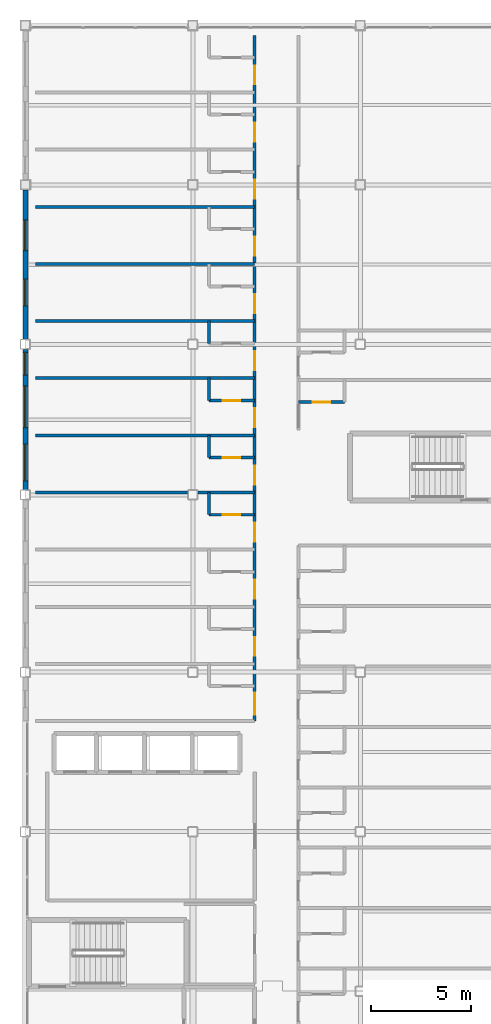
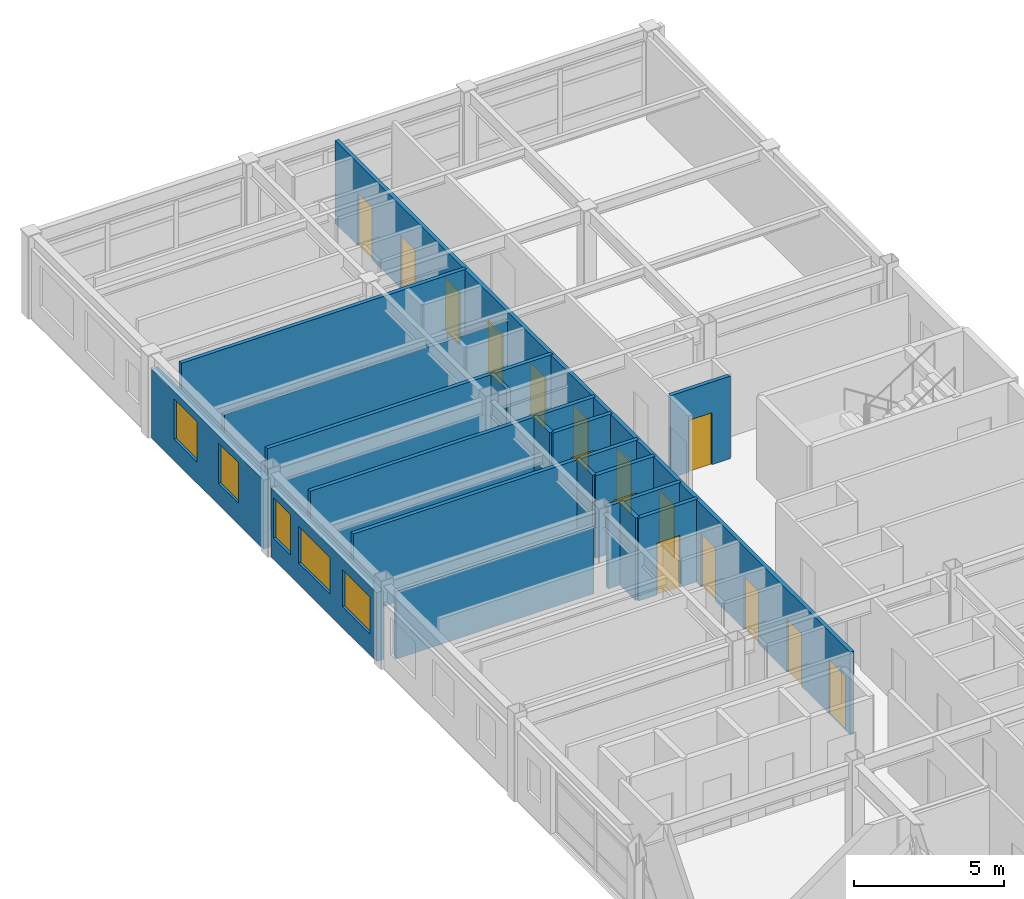
# One storey, part 29 of 33: 18 walls, 16 doors, 5 windows, 21 openings.
"""IFC4 building model written with IfcOpenShell, lengths in metres."""

from ifc_helpers import new_model, si_unit, direction, frame, frame_2d, origin, place, context, subcontext, project, spatial, rectangle, extrude, material, layer, layer_set, type_object, element, fill, save


model = new_model("IFC4")

# Units and contexts
model_context = context("Model", 3, precision=1e-05, world=origin(), true_north=direction((0.0, 1.0)))
body_context = subcontext(model_context, "Body", "Model", "MODEL_VIEW")
ifc_project = project(units=[si_unit("LENGTHUNIT", "METRE"), si_unit("AREAUNIT", "SQUARE_METRE"), si_unit("VOLUMEUNIT", "CUBIC_METRE"), si_unit("PLANEANGLEUNIT", "RADIAN"), si_unit("MASSUNIT", "GRAM", prefix="KILO")], contexts=[model_context])

# Site, building, storey
site_placement = place(None, origin())
site = spatial("IfcSite", under=ifc_project, at=site_placement, CompositionType="ELEMENT")
building_placement = place(site_placement, origin())
building = spatial("IfcBuilding", under=site, at=building_placement, Name="Kazehara Bluff Congress Hotel", CompositionType="ELEMENT")
storey_placement = place(building_placement, frame((0.0, 0.0, 39.0)))
storey = spatial("IfcBuildingStorey", under=building, at=storey_placement, Name="L09", CompositionType="ELEMENT", Elevation=39.0)

# Wall, openings, windows
ifc_material_1 = material(Name="Precast concrete C40/50", Category="concrete")
ifc_layer_1 = layer(ifc_material_1, 0.260009765625)
ifc_layer_set_1 = layer_set([ifc_layer_1], Name="Precast concrete C40/50")
wall_type_1 = type_object("IfcWallType", Name="TP-EW-260", PredefinedType="SOLIDWALL", material=ifc_layer_set_1)
wall_1_placement = place(storey_placement, frame((143.699951171875, 73.60009765625, 0.0), z_axis=(0.0, 0.0, 1.0), x_axis=(0.0, 1.0, 0.0)))
wall_1 = element("IfcWall", 1, at=wall_1_placement, inside=storey, type_object=wall_type_1, Name="L09 hotel facade panel 147", PredefinedType="SOLIDWALL", context=body_context, shape_type="SweptSolid", body=[
    extrude(rectangle(XDim=7.0498046875, YDim=0.260009765625, at=frame_2d((3.52490234375, 0.0))), origin(), (0.0, 0.0, 1.0), 2.804931640625),
])
opening_1_placement = place(wall_1_placement, frame((0.445068359375, 0.0, 0.85009765625)))
opening_1 = element("IfcOpeningElement", 2, at=opening_1_placement, cuts=wall_1, Name="Opening WN-37", PredefinedType="OPENING", context=body_context, shape_type="SweptSolid", body=[
    extrude(rectangle(XDim=1.85009765625, YDim=1.5, at=frame_2d((0.925048828125, 0.75))), frame((0.0, 0.139892578125, 0.0), z_axis=(0.0, -1.0, 0.0), x_axis=(1.0, 0.0, 0.0)), (0.0, 0.0, 1.0), 0.280029296875),
])
opening_2_placement = place(wall_1_placement, frame((3.1201171875, 0.0, 0.85009765625)))
opening_2 = element("IfcOpeningElement", 3, at=opening_2_placement, cuts=wall_1, Name="Opening WN-47", PredefinedType="OPENING", context=body_context, shape_type="SweptSolid", body=[
    extrude(rectangle(XDim=2.10009765625, YDim=1.5, at=frame_2d((1.050048828125, 0.75))), frame((0.0, 0.139892578125, 0.0), z_axis=(0.0, -1.0, 0.0), x_axis=(1.0, 0.0, 0.0)), (0.0, 0.0, 1.0), 0.280029296875),
])
opening_3_placement = place(wall_1_placement, frame((5.75, 0.0, 0.85009765625)))
opening_3 = element("IfcOpeningElement", 4, at=opening_3_placement, cuts=wall_1, Name="Opening WN-03", PredefinedType="OPENING", context=body_context, shape_type="SweptSolid", body=[
    extrude(rectangle(XDim=1.14990234375, YDim=1.64990234375, at=frame_2d((0.574951171875, 0.824951171875))), frame((0.0, 0.139892578125, 0.0), z_axis=(0.0, -1.0, 0.0), x_axis=(1.0, 0.0, 0.0)), (0.0, 0.0, 1.0), 0.280029296875),
])
ifc_material_2 = material(Name="Insulated low-E double glazing", Category="glass")
window_type_1 = type_object("IfcWindowType", Name="TP-WN-03", PartitioningType="SINGLE_PANEL", PredefinedType="WINDOW", material=ifc_material_2)
window_1_placement = place(opening_3_placement, origin())
window_1 = element("IfcWindow", 5, at=window_1_placement, inside=storey, type_object=window_type_1, Name="L09 guestroom window WN-03 289", OverallHeight=1.64990234375, OverallWidth=1.14990234375, PartitioningType="SINGLE_PANEL", PredefinedType="WINDOW", context=body_context, shape_type="SweptSolid", body=[
    extrude(rectangle(XDim=1.14990234375, YDim=1.64990234375, at=frame_2d((0.574951171875, 0.824951171875))), frame((0.0, 0.030029296875, 0.0), z_axis=(0.0, -1.0, 0.0), x_axis=(1.0, 0.0, 0.0)), (0.0, 0.0, 1.0), 0.06005859375),
])
fill(opening_3, window_1)
ifc_material_3 = material(Name="Insulated low-E double glazing", Category="glass")
window_type_2 = type_object("IfcWindowType", Name="TP-WN-37", PartitioningType="DOUBLE_PANEL_VERTICAL", PredefinedType="WINDOW", material=ifc_material_3)
window_2_placement = place(opening_1_placement, origin())
window_2 = element("IfcWindow", 6, at=window_2_placement, inside=storey, type_object=window_type_2, Name="L09 guestroom window WN-37 287", OverallHeight=1.5, OverallWidth=1.85009765625, PartitioningType="SINGLE_PANEL", PredefinedType="WINDOW", context=body_context, shape_type="SweptSolid", body=[
    extrude(rectangle(XDim=1.85009765625, YDim=1.5, at=frame_2d((0.925048828125, 0.75))), frame((0.0, 0.030029296875, 0.0), z_axis=(0.0, -1.0, 0.0), x_axis=(1.0, 0.0, 0.0)), (0.0, 0.0, 1.0), 0.06005859375),
])
fill(opening_1, window_2)
ifc_material_4 = material(Name="Insulated low-E double glazing", Category="glass")
window_type_3 = type_object("IfcWindowType", Name="TP-WN-47", PartitioningType="DOUBLE_PANEL_VERTICAL", PredefinedType="WINDOW", material=ifc_material_4)
window_3_placement = place(opening_2_placement, origin())
window_3 = element("IfcWindow", 7, at=window_3_placement, inside=storey, type_object=window_type_3, Name="L09 guestroom window WN-47 288", OverallHeight=1.5, OverallWidth=2.10009765625, PartitioningType="SINGLE_PANEL", PredefinedType="WINDOW", context=body_context, shape_type="SweptSolid", body=[
    extrude(rectangle(XDim=2.10009765625, YDim=1.5, at=frame_2d((1.050048828125, 0.75))), frame((0.0, 0.030029296875, 0.0), z_axis=(0.0, -1.0, 0.0), x_axis=(1.0, 0.0, 0.0)), (0.0, 0.0, 1.0), 0.06005859375),
])
fill(opening_2, window_3)

wall_2_placement = place(storey_placement, frame((143.699951171875, 81.14990234375, 0.0), z_axis=(0.0, 0.0, 1.0), x_axis=(0.0, 1.0, 0.0)))
wall_2 = element("IfcWall", 8, at=wall_2_placement, inside=storey, type_object=wall_type_1, Name="L09 hotel facade panel 148", PredefinedType="SOLIDWALL", context=body_context, shape_type="SweptSolid", body=[
    extrude(rectangle(XDim=7.5, YDim=0.260009765625, at=frame_2d((3.75, 0.0))), origin(), (0.0, 0.0, 1.0), 2.804931640625),
])
opening_4_placement = place(wall_2_placement, frame((1.675048828125, 0.0, 0.85009765625)))
opening_4 = element("IfcOpeningElement", 9, at=opening_4_placement, cuts=wall_2, Name="Opening WN-13", PredefinedType="OPENING", context=body_context, shape_type="SweptSolid", body=[
    extrude(rectangle(XDim=1.35009765625, YDim=1.64990234375, at=frame_2d((0.675048828125, 0.824951171875))), frame((0.0, 0.139892578125, 0.0), z_axis=(0.0, -1.0, 0.0), x_axis=(1.0, 0.0, 0.0)), (0.0, 0.0, 1.0), 0.280029296875),
])
opening_5_placement = place(wall_2_placement, frame((4.445068359375, 0.0, 0.85009765625)))
opening_5 = element("IfcOpeningElement", 10, at=opening_5_placement, cuts=wall_2, Name="Opening WN-23", PredefinedType="OPENING", context=body_context, shape_type="SweptSolid", body=[
    extrude(rectangle(XDim=1.550048828125, YDim=1.64990234375, at=frame_2d((0.77490234375, 0.824951171875))), frame((0.0, 0.139892578125, 0.0), z_axis=(0.0, -1.0, 0.0), x_axis=(1.0, 0.0, 0.0)), (0.0, 0.0, 1.0), 0.280029296875),
])
ifc_material_5 = material(Name="Insulated low-E double glazing", Category="glass")
window_type_4 = type_object("IfcWindowType", Name="TP-WN-13", PartitioningType="SINGLE_PANEL", PredefinedType="WINDOW", material=ifc_material_5)
window_4_placement = place(opening_4_placement, origin())
window_4 = element("IfcWindow", 11, at=window_4_placement, inside=storey, type_object=window_type_4, Name="L09 guestroom window WN-13 290", OverallHeight=1.64990234375, OverallWidth=1.35009765625, PartitioningType="SINGLE_PANEL", PredefinedType="WINDOW", context=body_context, shape_type="SweptSolid", body=[
    extrude(rectangle(XDim=1.35009765625, YDim=1.64990234375, at=frame_2d((0.675048828125, 0.824951171875))), frame((0.0, 0.030029296875, 0.0), z_axis=(0.0, -1.0, 0.0), x_axis=(1.0, 0.0, 0.0)), (0.0, 0.0, 1.0), 0.06005859375),
])
fill(opening_4, window_4)
ifc_material_6 = material(Name="Insulated low-E double glazing", Category="glass")
window_type_5 = type_object("IfcWindowType", Name="TP-WN-23", PartitioningType="SINGLE_PANEL", PredefinedType="WINDOW", material=ifc_material_6)
window_5_placement = place(opening_5_placement, origin())
window_5 = element("IfcWindow", 12, at=window_5_placement, inside=storey, type_object=window_type_5, Name="L09 guestroom window WN-23 291", OverallHeight=1.64990234375, OverallWidth=1.550048828125, PartitioningType="SINGLE_PANEL", PredefinedType="WINDOW", context=body_context, shape_type="SweptSolid", body=[
    extrude(rectangle(XDim=1.550048828125, YDim=1.64990234375, at=frame_2d((0.77490234375, 0.824951171875))), frame((0.0, 0.030029296875, 0.0), z_axis=(0.0, -1.0, 0.0), x_axis=(1.0, 0.0, 0.0)), (0.0, 0.0, 1.0), 0.06005859375),
])
fill(opening_5, window_5)

# Wall, opening, door
ifc_material_7 = material(Name="Fire-rated gypsum board stud partition")
ifc_layer_2 = layer(ifc_material_7, 0.14990234375)
ifc_layer_set_2 = layer_set([ifc_layer_2], Name="Fire-rated gypsum board stud partition")
wall_type_2 = type_object("IfcWallType", Name="TP-PT-150", PredefinedType="PARTITIONING", material=ifc_layer_set_2)
wall_3_placement = place(storey_placement, frame((152.89990234375, 72.35009765625, 0.0), z_axis=(0.0, 0.0, 1.0), x_axis=(1.0, 0.0, 0.0)))
wall_3 = element("IfcWall", 13, at=wall_3_placement, inside=storey, type_object=wall_type_2, Name="L09 partition PT-150 1239", PredefinedType="PARTITIONING", context=body_context, shape_type="SweptSolid", body=[
    extrude(rectangle(XDim=2.300048828125, YDim=0.14990234375, at=frame_2d((1.14990234375, 0.0))), origin(), (0.0, 0.0, 1.0), 3.364990234375),
])
opening_6_placement = place(wall_3_placement, frame((0.7099609375, 0.0, 0.0)))
opening_6 = element("IfcOpeningElement", 14, at=opening_6_placement, cuts=wall_3, Name="Opening BD-02", PredefinedType="OPENING", context=body_context, shape_type="SweptSolid", body=[
    extrude(rectangle(XDim=0.8798828125, YDim=2.1201171875, at=frame_2d((0.43994140625, 1.06005859375))), frame((0.0, 0.0849609375, 0.0), z_axis=(0.0, -1.0, 0.0), x_axis=(1.0, 0.0, 0.0)), (0.0, 0.0, 1.0), 0.169921875),
])
ifc_material_8 = material(Name="Architectural oak veneer leaf")
door_type_1 = type_object("IfcDoorType", Name="TP-BD-02", OperationType="NOTDEFINED", PredefinedType="DOOR", material=ifc_material_8)
door_1_placement = place(opening_6_placement, origin())
door_1 = element("IfcDoor", 15, at=door_1_placement, inside=storey, type_object=door_type_1, Name="L09 En-suite Bathroom 265 door", OperationType="SINGLE_SWING_RIGHT", OverallHeight=2.1201171875, OverallWidth=0.8798828125, PredefinedType="DOOR", context=body_context, shape_type="SweptSolid", body=[
    extrude(rectangle(XDim=0.8798828125, YDim=2.1201171875, at=frame_2d((0.43994140625, 1.06005859375))), frame((0.0, 0.02490234375, 0.0), z_axis=(0.0, -1.0, 0.0), x_axis=(1.0, 0.0, 0.0)), (0.0, 0.0, 1.0), 0.050048828125),
])
fill(opening_6, door_1)

# Walls
wall_4_placement = place(storey_placement, frame((144.199951171875, 73.469970703125, 0.0), z_axis=(0.0, 0.0, 1.0), x_axis=(1.0, 0.0, 0.0)))
element("IfcWall", 16, at=wall_4_placement, inside=storey, type_object=wall_type_2, Name="L09 partition PT-150 1240", PredefinedType="PARTITIONING", context=body_context, shape_type="SweptSolid", body=[
    extrude(rectangle(XDim=7.630126953125, YDim=0.14990234375, at=frame_2d((3.81494140625, 0.0))), origin(), (0.0, 0.0, 1.0), 2.7548828125),
])
wall_5_placement = place(storey_placement, frame((152.3701171875, 73.469970703125, 0.0), z_axis=(0.0, 0.0, 1.0), x_axis=(1.0, 0.0, 0.0)))
element("IfcWall", 17, at=wall_5_placement, inside=storey, type_object=wall_type_2, Name="L09 partition PT-150 1241", PredefinedType="PARTITIONING", context=body_context, shape_type="SweptSolid", body=[
    extrude(rectangle(XDim=2.829833984375, YDim=0.14990234375, at=frame_2d((1.4150390625, 0.0))), origin(), (0.0, 0.0, 1.0), 3.364990234375),
])

# Wall, opening, door
wall_6_placement = place(storey_placement, frame((152.89990234375, 75.219970703125, 0.0), z_axis=(0.0, 0.0, 1.0), x_axis=(1.0, 0.0, 0.0)))
wall_6 = element("IfcWall", 18, at=wall_6_placement, inside=storey, type_object=wall_type_2, Name="L09 partition PT-150 1242", PredefinedType="PARTITIONING", context=body_context, shape_type="SweptSolid", body=[
    extrude(rectangle(XDim=2.300048828125, YDim=0.14990234375, at=frame_2d((1.14990234375, 0.0))), origin(), (0.0, 0.0, 1.0), 3.364990234375),
])
opening_7_placement = place(wall_6_placement, frame((0.7099609375, 0.0, 0.0)))
opening_7 = element("IfcOpeningElement", 19, at=opening_7_placement, cuts=wall_6, Name="Opening BD-02", PredefinedType="OPENING", context=body_context, shape_type="SweptSolid", body=[
    extrude(rectangle(XDim=0.8798828125, YDim=2.1201171875, at=frame_2d((0.43994140625, 1.06005859375))), frame((0.0, 0.0849609375, 0.0), z_axis=(0.0, -1.0, 0.0), x_axis=(1.0, 0.0, 0.0)), (0.0, 0.0, 1.0), 0.169921875),
])
door_2_placement = place(opening_7_placement, origin())
door_2 = element("IfcDoor", 20, at=door_2_placement, inside=storey, type_object=door_type_1, Name="L09 En-suite Bathroom 266 door", OperationType="SINGLE_SWING_RIGHT", OverallHeight=2.1201171875, OverallWidth=0.8798828125, PredefinedType="DOOR", context=body_context, shape_type="SweptSolid", body=[
    extrude(rectangle(XDim=0.8798828125, YDim=2.1201171875, at=frame_2d((0.43994140625, 1.06005859375))), frame((0.0, 0.02490234375, 0.0), z_axis=(0.0, -1.0, 0.0), x_axis=(1.0, 0.0, 0.0)), (0.0, 0.0, 1.0), 0.050048828125),
])
fill(opening_7, door_2)

# Wall
wall_7_placement = place(storey_placement, frame((144.199951171875, 76.330078125, 0.0), z_axis=(0.0, 0.0, 1.0), x_axis=(1.0, 0.0, 0.0)))
element("IfcWall", 21, at=wall_7_placement, inside=storey, type_object=wall_type_2, Name="L09 partition PT-150 1243", PredefinedType="PARTITIONING", context=body_context, shape_type="SweptSolid", body=[
    extrude(rectangle(XDim=11.0, YDim=0.14990234375, at=frame_2d((5.5, 0.0))), origin(), (0.0, 0.0, 1.0), 3.364990234375),
])

# Wall, opening, door
wall_8_placement = place(storey_placement, frame((157.39990234375, 78.0, 0.0), z_axis=(0.0, 0.0, 1.0), x_axis=(1.0, 0.0, 0.0)))
wall_8 = element("IfcWall", 22, at=wall_8_placement, inside=storey, type_object=wall_type_2, Name="L09 partition PT-150 1244", PredefinedType="PARTITIONING", context=body_context, shape_type="SweptSolid", body=[
    extrude(rectangle(XDim=2.300048828125, YDim=0.14990234375, at=frame_2d((1.14990234375, 0.0))), origin(), (0.0, 0.0, 1.0), 3.364990234375),
])
opening_8_placement = place(wall_8_placement, frame((0.7099609375, 0.0, 0.0)))
opening_8 = element("IfcOpeningElement", 23, at=opening_8_placement, cuts=wall_8, Name="Opening BD-02", PredefinedType="OPENING", context=body_context, shape_type="SweptSolid", body=[
    extrude(rectangle(XDim=0.8798828125, YDim=2.1201171875, at=frame_2d((0.43994140625, 1.06005859375))), frame((0.0, 0.0849609375, 0.0), z_axis=(0.0, -1.0, 0.0), x_axis=(1.0, 0.0, 0.0)), (0.0, 0.0, 1.0), 0.169921875),
])
door_3_placement = place(opening_8_placement, origin())
door_3 = element("IfcDoor", 24, at=door_3_placement, inside=storey, type_object=door_type_1, Name="L09 En-suite Bathroom 293 door", OperationType="SINGLE_SWING_RIGHT", OverallHeight=2.1201171875, OverallWidth=0.8798828125, PredefinedType="DOOR", context=body_context, shape_type="SweptSolid", body=[
    extrude(rectangle(XDim=0.8798828125, YDim=2.1201171875, at=frame_2d((0.43994140625, 1.06005859375))), frame((0.0, 0.02490234375, 0.0), z_axis=(0.0, -1.0, 0.0), x_axis=(1.0, 0.0, 0.0)), (0.0, 0.0, 1.0), 0.050048828125),
])
fill(opening_8, door_3)

wall_9_placement = place(storey_placement, frame((152.89990234375, 78.080078125, 0.0), z_axis=(0.0, 0.0, 1.0), x_axis=(1.0, 0.0, 0.0)))
wall_9 = element("IfcWall", 25, at=wall_9_placement, inside=storey, type_object=wall_type_2, Name="L09 partition PT-150 1245", PredefinedType="PARTITIONING", context=body_context, shape_type="SweptSolid", body=[
    extrude(rectangle(XDim=2.300048828125, YDim=0.14990234375, at=frame_2d((1.14990234375, 0.0))), origin(), (0.0, 0.0, 1.0), 3.364990234375),
])
opening_9_placement = place(wall_9_placement, frame((0.7099609375, 0.0, 0.0)))
opening_9 = element("IfcOpeningElement", 26, at=opening_9_placement, cuts=wall_9, Name="Opening BD-02", PredefinedType="OPENING", context=body_context, shape_type="SweptSolid", body=[
    extrude(rectangle(XDim=0.8798828125, YDim=2.1201171875, at=frame_2d((0.43994140625, 1.06005859375))), frame((0.0, 0.0849609375, 0.0), z_axis=(0.0, -1.0, 0.0), x_axis=(1.0, 0.0, 0.0)), (0.0, 0.0, 1.0), 0.169921875),
])
door_4_placement = place(opening_9_placement, origin())
door_4 = element("IfcDoor", 27, at=door_4_placement, inside=storey, type_object=door_type_1, Name="L09 En-suite Bathroom 267 door", OperationType="SINGLE_SWING_RIGHT", OverallHeight=2.1201171875, OverallWidth=0.8798828125, PredefinedType="DOOR", context=body_context, shape_type="SweptSolid", body=[
    extrude(rectangle(XDim=0.8798828125, YDim=2.1201171875, at=frame_2d((0.43994140625, 1.06005859375))), frame((0.0, 0.02490234375, 0.0), z_axis=(0.0, -1.0, 0.0), x_axis=(1.0, 0.0, 0.0)), (0.0, 0.0, 1.0), 0.050048828125),
])
fill(opening_9, door_4)

# Walls
for number, where, z_axis, x_axis, name in (
    (28, (144.199951171875, 79.199951171875, 0.0), (0.0, 0.0, 1.0), (1.0, 0.0, 0.0), "L09 partition PT-150 1247"),
    (29, (144.199951171875, 82.06005859375, 0.0), (0.0, 0.0, 1.0), (1.0, 0.0, 0.0), "L09 partition PT-150 1251"),
):
    element("IfcWall", number, at=place(storey_placement, frame(where, z_axis=z_axis, x_axis=x_axis)), inside=storey, type_object=wall_type_2, Name=name, PredefinedType="PARTITIONING", context=body_context, shape_type="SweptSolid", body=[
        extrude(rectangle(XDim=11.0, YDim=0.14990234375, at=frame_2d((5.5, 0.0))), origin(), (0.0, 0.0, 1.0), 3.364990234375),
    ])
wall_10_placement = place(storey_placement, frame((144.199951171875, 84.93994140625, 0.0), z_axis=(0.0, 0.0, 1.0), x_axis=(1.0, 0.0, 0.0)))
element("IfcWall", 30, at=wall_10_placement, inside=storey, type_object=wall_type_2, Name="L09 partition PT-150 1253", PredefinedType="PARTITIONING", context=body_context, shape_type="SweptSolid", body=[
    extrude(rectangle(XDim=11.0, YDim=0.14990234375, at=frame_2d((5.5, 0.0))), origin(), (0.0, 0.0, 1.0), 3.0048828125),
])
wall_11_placement = place(storey_placement, frame((144.199951171875, 87.800048828125, 0.0), z_axis=(0.0, 0.0, 1.0), x_axis=(1.0, 0.0, 0.0)))
element("IfcWall", 31, at=wall_11_placement, inside=storey, type_object=wall_type_2, Name="L09 partition PT-150 1255", PredefinedType="PARTITIONING", context=body_context, shape_type="SweptSolid", body=[
    extrude(rectangle(XDim=11.0, YDim=0.14990234375, at=frame_2d((5.5, 0.0))), origin(), (0.0, 0.0, 1.0), 3.364990234375),
])
wall_12_placement = place(storey_placement, frame((152.89990234375, 72.35009765625, 0.0), z_axis=(0.0, 0.0, 1.0), x_axis=(0.0, 1.0, 0.0)))
element("IfcWall", 32, at=wall_12_placement, inside=storey, type_object=wall_type_2, Name="L09 partition PT-150 1275", PredefinedType="PARTITIONING", context=body_context, shape_type="SweptSolid", body=[
    extrude(rectangle(XDim=1.114990234375, YDim=0.14990234375, at=frame_2d((0.5576171875, 0.0))), origin(), (0.0, 0.0, 1.0), 3.364990234375),
])
wall_13_placement = place(storey_placement, frame((152.89990234375, 75.215087890625, 0.0), z_axis=(0.0, 0.0, 1.0), x_axis=(0.0, 1.0, 0.0)))
element("IfcWall", 33, at=wall_13_placement, inside=storey, type_object=wall_type_2, Name="L09 partition PT-150 1276", PredefinedType="PARTITIONING", context=body_context, shape_type="SweptSolid", body=[
    extrude(rectangle(XDim=1.119873046875, YDim=0.14990234375, at=frame_2d((0.56005859375, 0.0))), origin(), (0.0, 0.0, 1.0), 3.364990234375),
])
for number, where, z_axis, x_axis, name in (
    (34, (152.89990234375, 78.0849609375, 0.0), (0.0, 0.0, 1.0), (0.0, 1.0, 0.0), "L09 partition PT-150 1277"),
    (35, (152.89990234375, 80.949951171875, 0.0), (0.0, 0.0, 1.0), (0.0, 1.0, 0.0), "L09 partition PT-150 1278"),
):
    element("IfcWall", number, at=place(storey_placement, frame(where, z_axis=z_axis, x_axis=x_axis)), inside=storey, type_object=wall_type_2, Name=name, PredefinedType="PARTITIONING", context=body_context, shape_type="SweptSolid", body=[
        extrude(rectangle(XDim=1.114990234375, YDim=0.14990234375, at=frame_2d((0.5576171875, 0.0))), origin(), (0.0, 0.0, 1.0), 3.364990234375),
    ])

# Wall, openings, doors
wall_14_placement = place(storey_placement, frame((155.199951171875, 62.0, 0.0), z_axis=(0.0, 0.0, 1.0), x_axis=(0.0, 1.0, 0.0)))
wall_14 = element("IfcWall", 36, at=wall_14_placement, inside=storey, type_object=wall_type_2, Name="L09 partition PT-150 1290", PredefinedType="PARTITIONING", context=body_context, shape_type="SweptSolid", body=[
    extrude(rectangle(XDim=34.39990234375, YDim=0.14990234375, at=frame_2d((17.199951171875, 0.0))), origin(), (0.0, 0.0, 1.0), 3.364990234375),
])
opening_10_placement = place(wall_14_placement, frame((0.324951171875, 0.0, 0.0)))
opening_10 = element("IfcOpeningElement", 37, at=opening_10_placement, cuts=wall_14, Name="Opening GD-02", PredefinedType="OPENING", context=body_context, shape_type="SweptSolid", body=[
    extrude(rectangle(XDim=1.10009765625, YDim=2.199951171875, at=frame_2d((0.550048828125, 1.10009765625))), frame((0.0, 0.0849609375, 0.0), z_axis=(0.0, -1.0, 0.0), x_axis=(1.0, 0.0, 0.0)), (0.0, 0.0, 1.0), 0.169921875),
])
opening_11_placement = place(wall_14_placement, frame((3.264892578125, 0.0, 0.0)))
opening_11 = element("IfcOpeningElement", 38, at=opening_11_placement, cuts=wall_14, Name="Opening GD-01", PredefinedType="OPENING", context=body_context, shape_type="SweptSolid", body=[
    extrude(rectangle(XDim=0.949951171875, YDim=2.14990234375, at=frame_2d((0.47509765625, 1.074951171875))), frame((0.0, 0.0849609375, 0.0), z_axis=(0.0, -1.0, 0.0), x_axis=(1.0, 0.0, 0.0)), (0.0, 0.0, 1.0), 0.169921875),
])
opening_12_placement = place(wall_14_placement, frame((6.135009765625, 0.0, 0.0)))
opening_12 = element("IfcOpeningElement", 39, at=opening_12_placement, cuts=wall_14, Name="Opening GD-01", PredefinedType="OPENING", context=body_context, shape_type="SweptSolid", body=[
    extrude(rectangle(XDim=0.949951171875, YDim=2.14990234375, at=frame_2d((0.47509765625, 1.074951171875))), frame((0.0, 0.0849609375, 0.0), z_axis=(0.0, -1.0, 0.0), x_axis=(1.0, 0.0, 0.0)), (0.0, 0.0, 1.0), 0.169921875),
])
opening_13_placement = place(wall_14_placement, frame((9.0, 0.0, 0.0)))
opening_13 = element("IfcOpeningElement", 40, at=opening_13_placement, cuts=wall_14, Name="Opening GD-01", PredefinedType="OPENING", context=body_context, shape_type="SweptSolid", body=[
    extrude(rectangle(XDim=0.949951171875, YDim=2.14990234375, at=frame_2d((0.47509765625, 1.074951171875))), frame((0.0, 0.0849609375, 0.0), z_axis=(0.0, -1.0, 0.0), x_axis=(1.0, 0.0, 0.0)), (0.0, 0.0, 1.0), 0.169921875),
])
opening_14_placement = place(wall_14_placement, frame((11.864990234375, 0.0, 0.0)))
opening_14 = element("IfcOpeningElement", 41, at=opening_14_placement, cuts=wall_14, Name="Opening GD-01", PredefinedType="OPENING", context=body_context, shape_type="SweptSolid", body=[
    extrude(rectangle(XDim=0.949951171875, YDim=2.14990234375, at=frame_2d((0.47509765625, 1.074951171875))), frame((0.0, 0.0849609375, 0.0), z_axis=(0.0, -1.0, 0.0), x_axis=(1.0, 0.0, 0.0)), (0.0, 0.0, 1.0), 0.169921875),
])
opening_15_placement = place(wall_14_placement, frame((14.735107421875, 0.0, 0.0)))
opening_15 = element("IfcOpeningElement", 42, at=opening_15_placement, cuts=wall_14, Name="Opening GD-01", PredefinedType="OPENING", context=body_context, shape_type="SweptSolid", body=[
    extrude(rectangle(XDim=0.949951171875, YDim=2.14990234375, at=frame_2d((0.47509765625, 1.074951171875))), frame((0.0, 0.0849609375, 0.0), z_axis=(0.0, -1.0, 0.0), x_axis=(1.0, 0.0, 0.0)), (0.0, 0.0, 1.0), 0.169921875),
])
opening_16_placement = place(wall_14_placement, frame((17.60009765625, 0.0, 0.0)))
opening_16 = element("IfcOpeningElement", 43, at=opening_16_placement, cuts=wall_14, Name="Opening GD-01", PredefinedType="OPENING", context=body_context, shape_type="SweptSolid", body=[
    extrude(rectangle(XDim=0.949951171875, YDim=2.14990234375, at=frame_2d((0.47509765625, 1.074951171875))), frame((0.0, 0.0849609375, 0.0), z_axis=(0.0, -1.0, 0.0), x_axis=(1.0, 0.0, 0.0)), (0.0, 0.0, 1.0), 0.169921875),
])
opening_17_placement = place(wall_14_placement, frame((20.465087890625, 0.0, 0.0)))
opening_17 = element("IfcOpeningElement", 44, at=opening_17_placement, cuts=wall_14, Name="Opening GD-01", PredefinedType="OPENING", context=body_context, shape_type="SweptSolid", body=[
    extrude(rectangle(XDim=0.949951171875, YDim=2.14990234375, at=frame_2d((0.47509765625, 1.074951171875))), frame((0.0, 0.0849609375, 0.0), z_axis=(0.0, -1.0, 0.0), x_axis=(1.0, 0.0, 0.0)), (0.0, 0.0, 1.0), 0.169921875),
])
opening_18_placement = place(wall_14_placement, frame((23.3349609375, 0.0, 0.0)))
opening_18 = element("IfcOpeningElement", 45, at=opening_18_placement, cuts=wall_14, Name="Opening GD-01", PredefinedType="OPENING", context=body_context, shape_type="SweptSolid", body=[
    extrude(rectangle(XDim=0.949951171875, YDim=2.14990234375, at=frame_2d((0.47509765625, 1.074951171875))), frame((0.0, 0.0849609375, 0.0), z_axis=(0.0, -1.0, 0.0), x_axis=(1.0, 0.0, 0.0)), (0.0, 0.0, 1.0), 0.169921875),
])
opening_19_placement = place(wall_14_placement, frame((26.199951171875, 0.0, 0.0)))
opening_19 = element("IfcOpeningElement", 46, at=opening_19_placement, cuts=wall_14, Name="Opening GD-01", PredefinedType="OPENING", context=body_context, shape_type="SweptSolid", body=[
    extrude(rectangle(XDim=0.949951171875, YDim=2.14990234375, at=frame_2d((0.47509765625, 1.074951171875))), frame((0.0, 0.0849609375, 0.0), z_axis=(0.0, -1.0, 0.0), x_axis=(1.0, 0.0, 0.0)), (0.0, 0.0, 1.0), 0.169921875),
])
opening_20_placement = place(wall_14_placement, frame((29.06494140625, 0.0, 0.0)))
opening_20 = element("IfcOpeningElement", 47, at=opening_20_placement, cuts=wall_14, Name="Opening GD-01", PredefinedType="OPENING", context=body_context, shape_type="SweptSolid", body=[
    extrude(rectangle(XDim=0.949951171875, YDim=2.14990234375, at=frame_2d((0.47509765625, 1.074951171875))), frame((0.0, 0.0849609375, 0.0), z_axis=(0.0, -1.0, 0.0), x_axis=(1.0, 0.0, 0.0)), (0.0, 0.0, 1.0), 0.169921875),
])
opening_21_placement = place(wall_14_placement, frame((31.93505859375, 0.0, 0.0)))
opening_21 = element("IfcOpeningElement", 48, at=opening_21_placement, cuts=wall_14, Name="Opening GD-01", PredefinedType="OPENING", context=body_context, shape_type="SweptSolid", body=[
    extrude(rectangle(XDim=0.949951171875, YDim=2.14990234375, at=frame_2d((0.47509765625, 1.074951171875))), frame((0.0, 0.0849609375, 0.0), z_axis=(0.0, -1.0, 0.0), x_axis=(1.0, 0.0, 0.0)), (0.0, 0.0, 1.0), 0.169921875),
])
ifc_material_9 = material(Name="Architectural oak veneer leaf")
door_type_2 = type_object("IfcDoorType", Name="TP-GD-01", OperationType="NOTDEFINED", PredefinedType="DOOR", material=ifc_material_9)
door_5_placement = place(opening_11_placement, origin())
door_5 = element("IfcDoor", 49, at=door_5_placement, inside=storey, type_object=door_type_2, Name="L09 Standard King Guest Room 263 door", OperationType="SINGLE_SWING_LEFT", OverallHeight=2.14990234375, OverallWidth=0.949951171875, PredefinedType="DOOR", context=body_context, shape_type="SweptSolid", body=[
    extrude(rectangle(XDim=0.949951171875, YDim=2.14990234375, at=frame_2d((0.47509765625, 1.074951171875))), frame((0.0, 0.02490234375, 0.0), z_axis=(0.0, -1.0, 0.0), x_axis=(1.0, 0.0, 0.0)), (0.0, 0.0, 1.0), 0.050048828125),
])
fill(opening_11, door_5)
door_6_placement = place(opening_12_placement, origin())
door_6 = element("IfcDoor", 50, at=door_6_placement, inside=storey, type_object=door_type_2, Name="L09 Deluxe Twin Guest Room 264 door", OperationType="SINGLE_SWING_LEFT", OverallHeight=2.14990234375, OverallWidth=0.949951171875, PredefinedType="DOOR", context=body_context, shape_type="SweptSolid", body=[
    extrude(rectangle(XDim=0.949951171875, YDim=2.14990234375, at=frame_2d((0.47509765625, 1.074951171875))), frame((0.0, 0.02490234375, 0.0), z_axis=(0.0, -1.0, 0.0), x_axis=(1.0, 0.0, 0.0)), (0.0, 0.0, 1.0), 0.050048828125),
])
fill(opening_12, door_6)
door_7_placement = place(opening_13_placement, origin())
door_7 = element("IfcDoor", 51, at=door_7_placement, inside=storey, type_object=door_type_2, Name="L09 Standard King Guest Room 265 door", OperationType="SINGLE_SWING_LEFT", OverallHeight=2.14990234375, OverallWidth=0.949951171875, PredefinedType="DOOR", context=body_context, shape_type="SweptSolid", body=[
    extrude(rectangle(XDim=0.949951171875, YDim=2.14990234375, at=frame_2d((0.47509765625, 1.074951171875))), frame((0.0, 0.02490234375, 0.0), z_axis=(0.0, -1.0, 0.0), x_axis=(1.0, 0.0, 0.0)), (0.0, 0.0, 1.0), 0.050048828125),
])
fill(opening_13, door_7)
door_8_placement = place(opening_14_placement, origin())
door_8 = element("IfcDoor", 52, at=door_8_placement, inside=storey, type_object=door_type_2, Name="L09 Deluxe Twin Guest Room 266 door", OperationType="SINGLE_SWING_LEFT", OverallHeight=2.14990234375, OverallWidth=0.949951171875, PredefinedType="DOOR", context=body_context, shape_type="SweptSolid", body=[
    extrude(rectangle(XDim=0.949951171875, YDim=2.14990234375, at=frame_2d((0.47509765625, 1.074951171875))), frame((0.0, 0.02490234375, 0.0), z_axis=(0.0, -1.0, 0.0), x_axis=(1.0, 0.0, 0.0)), (0.0, 0.0, 1.0), 0.050048828125),
])
fill(opening_14, door_8)
door_9_placement = place(opening_15_placement, origin())
door_9 = element("IfcDoor", 53, at=door_9_placement, inside=storey, type_object=door_type_2, Name="L09 Standard King Guest Room 267 door", OperationType="SINGLE_SWING_LEFT", OverallHeight=2.14990234375, OverallWidth=0.949951171875, PredefinedType="DOOR", context=body_context, shape_type="SweptSolid", body=[
    extrude(rectangle(XDim=0.949951171875, YDim=2.14990234375, at=frame_2d((0.47509765625, 1.074951171875))), frame((0.0, 0.02490234375, 0.0), z_axis=(0.0, -1.0, 0.0), x_axis=(1.0, 0.0, 0.0)), (0.0, 0.0, 1.0), 0.050048828125),
])
fill(opening_15, door_9)
door_10_placement = place(opening_16_placement, origin())
door_10 = element("IfcDoor", 54, at=door_10_placement, inside=storey, type_object=door_type_2, Name="L09 Deluxe Twin Guest Room 268 door", OperationType="SINGLE_SWING_LEFT", OverallHeight=2.14990234375, OverallWidth=0.949951171875, PredefinedType="DOOR", context=body_context, shape_type="SweptSolid", body=[
    extrude(rectangle(XDim=0.949951171875, YDim=2.14990234375, at=frame_2d((0.47509765625, 1.074951171875))), frame((0.0, 0.02490234375, 0.0), z_axis=(0.0, -1.0, 0.0), x_axis=(1.0, 0.0, 0.0)), (0.0, 0.0, 1.0), 0.050048828125),
])
fill(opening_16, door_10)
door_11_placement = place(opening_17_placement, origin())
door_11 = element("IfcDoor", 55, at=door_11_placement, inside=storey, type_object=door_type_2, Name="L09 Standard King Guest Room 269 door", OperationType="SINGLE_SWING_LEFT", OverallHeight=2.14990234375, OverallWidth=0.949951171875, PredefinedType="DOOR", context=body_context, shape_type="SweptSolid", body=[
    extrude(rectangle(XDim=0.949951171875, YDim=2.14990234375, at=frame_2d((0.47509765625, 1.074951171875))), frame((0.0, 0.02490234375, 0.0), z_axis=(0.0, -1.0, 0.0), x_axis=(1.0, 0.0, 0.0)), (0.0, 0.0, 1.0), 0.050048828125),
])
fill(opening_17, door_11)
door_12_placement = place(opening_18_placement, origin())
door_12 = element("IfcDoor", 56, at=door_12_placement, inside=storey, type_object=door_type_2, Name="L09 Deluxe Twin Guest Room 270 door", OperationType="SINGLE_SWING_LEFT", OverallHeight=2.14990234375, OverallWidth=0.949951171875, PredefinedType="DOOR", context=body_context, shape_type="SweptSolid", body=[
    extrude(rectangle(XDim=0.949951171875, YDim=2.14990234375, at=frame_2d((0.47509765625, 1.074951171875))), frame((0.0, 0.02490234375, 0.0), z_axis=(0.0, -1.0, 0.0), x_axis=(1.0, 0.0, 0.0)), (0.0, 0.0, 1.0), 0.050048828125),
])
fill(opening_18, door_12)
door_13_placement = place(opening_19_placement, origin())
door_13 = element("IfcDoor", 57, at=door_13_placement, inside=storey, type_object=door_type_2, Name="L09 Standard King Guest Room 271 door", OperationType="SINGLE_SWING_LEFT", OverallHeight=2.14990234375, OverallWidth=0.949951171875, PredefinedType="DOOR", context=body_context, shape_type="SweptSolid", body=[
    extrude(rectangle(XDim=0.949951171875, YDim=2.14990234375, at=frame_2d((0.47509765625, 1.074951171875))), frame((0.0, 0.02490234375, 0.0), z_axis=(0.0, -1.0, 0.0), x_axis=(1.0, 0.0, 0.0)), (0.0, 0.0, 1.0), 0.050048828125),
])
fill(opening_19, door_13)
door_14_placement = place(opening_20_placement, origin())
door_14 = element("IfcDoor", 58, at=door_14_placement, inside=storey, type_object=door_type_2, Name="L09 Deluxe Twin Guest Room 272 door", OperationType="SINGLE_SWING_LEFT", OverallHeight=2.14990234375, OverallWidth=0.949951171875, PredefinedType="DOOR", context=body_context, shape_type="SweptSolid", body=[
    extrude(rectangle(XDim=0.949951171875, YDim=2.14990234375, at=frame_2d((0.47509765625, 1.074951171875))), frame((0.0, 0.02490234375, 0.0), z_axis=(0.0, -1.0, 0.0), x_axis=(1.0, 0.0, 0.0)), (0.0, 0.0, 1.0), 0.050048828125),
])
fill(opening_20, door_14)
door_15_placement = place(opening_21_placement, origin())
door_15 = element("IfcDoor", 59, at=door_15_placement, inside=storey, type_object=door_type_2, Name="L09 Standard King Guest Room 273 door", OperationType="SINGLE_SWING_LEFT", OverallHeight=2.14990234375, OverallWidth=0.949951171875, PredefinedType="DOOR", context=body_context, shape_type="SweptSolid", body=[
    extrude(rectangle(XDim=0.949951171875, YDim=2.14990234375, at=frame_2d((0.47509765625, 1.074951171875))), frame((0.0, 0.02490234375, 0.0), z_axis=(0.0, -1.0, 0.0), x_axis=(1.0, 0.0, 0.0)), (0.0, 0.0, 1.0), 0.050048828125),
])
fill(opening_21, door_15)
ifc_material_10 = material(Name="Architectural oak veneer leaf")
door_type_3 = type_object("IfcDoorType", Name="TP-GD-02", OperationType="NOTDEFINED", PredefinedType="DOOR", material=ifc_material_10)
door_16_placement = place(opening_10_placement, origin())
door_16 = element("IfcDoor", 60, at=door_16_placement, inside=storey, type_object=door_type_3, Name="L09 Executive Suite 262 door", OperationType="SINGLE_SWING_LEFT", OverallHeight=2.199951171875, OverallWidth=1.10009765625, PredefinedType="DOOR", context=body_context, shape_type="SweptSolid", body=[
    extrude(rectangle(XDim=1.10009765625, YDim=2.199951171875, at=frame_2d((0.550048828125, 1.10009765625))), frame((0.0, 0.02490234375, 0.0), z_axis=(0.0, -1.0, 0.0), x_axis=(1.0, 0.0, 0.0)), (0.0, 0.0, 1.0), 0.050048828125),
])
fill(opening_10, door_16)

save(model, "model.ifc")
